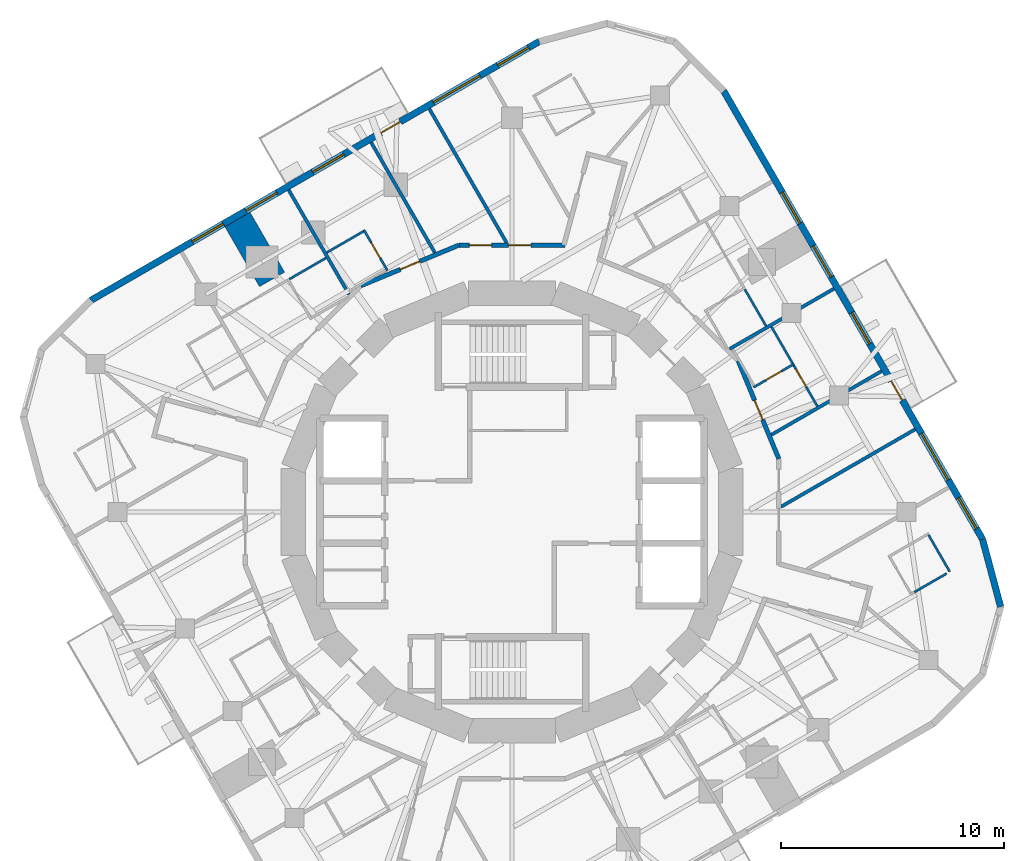
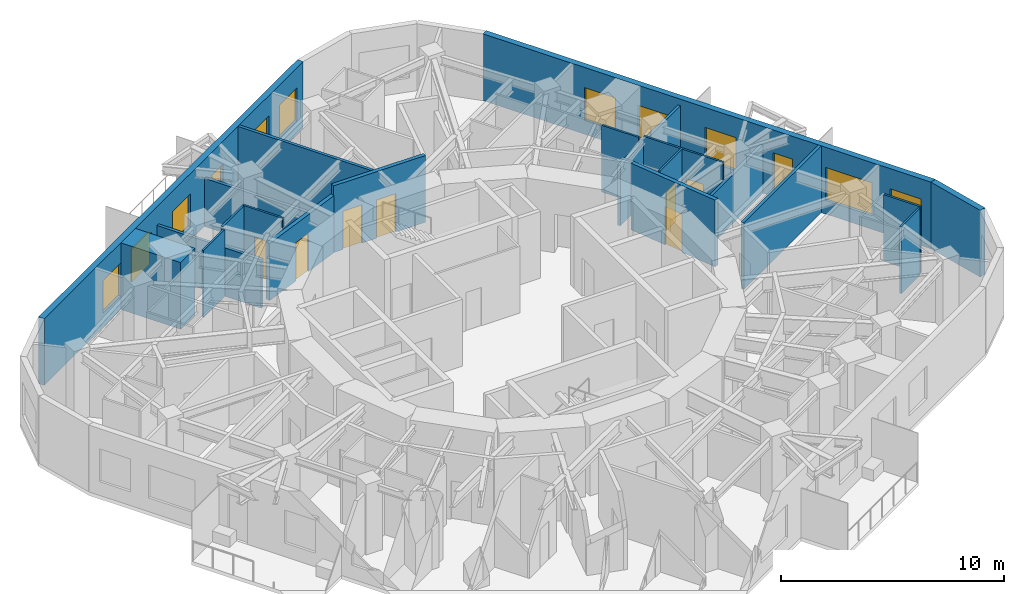
# One storey, part 8 of 11: 22 walls, 10 windows, 9 doors, 19 openings.
"""IFC4 building model written with IfcOpenShell, lengths in metres."""

from ifc_helpers import new_model, si_unit, direction, frame, frame_2d, origin, place, context, subcontext, project, spatial, rectangle, extrude, material, layer, layer_set, type_object, element, fill, save


model = new_model("IFC4")

# Units and contexts
model_context = context("Model", 3, precision=1e-05, world=origin(), true_north=direction((0.0, 1.0)))
body_context = subcontext(model_context, "Body", "Model", "MODEL_VIEW")
ifc_project = project(units=[si_unit("LENGTHUNIT", "METRE"), si_unit("AREAUNIT", "SQUARE_METRE"), si_unit("VOLUMEUNIT", "CUBIC_METRE"), si_unit("PLANEANGLEUNIT", "RADIAN"), si_unit("MASSUNIT", "GRAM", prefix="KILO")], contexts=[model_context])

# Site, building, storey
site_placement = place(None, origin())
site = spatial("IfcSite", under=ifc_project, at=site_placement, CompositionType="ELEMENT")
building_placement = place(site_placement, origin())
building = spatial("IfcBuilding", under=site, at=building_placement, Name="Nakasero Lantern House", CompositionType="ELEMENT")
storey_placement = place(building_placement, frame((0.0, 0.0, 230.800048828125)))
storey = spatial("IfcBuildingStorey", under=building, at=storey_placement, Name="L56", CompositionType="ELEMENT", Elevation=230.800048828125)

# Wall
ifc_material_1 = material(Name="Blockwork", Category="masonry")
ifc_layer_1 = layer(ifc_material_1, 1.300048828125)
ifc_layer_set_1 = layer_set([ifc_layer_1], Name="Column pier 1300")
wall_type_1 = type_object("IfcWallType", Name="Column pier 1300", PredefinedType="PARTITIONING", material=ifc_layer_set_1)
wall_1_placement = place(storey_placement, frame((-10.75048828125, 10.4208984375, 0.0), z_axis=(0.0, 0.0, 1.0), x_axis=(-0.499933790963, 0.866063626216, 0.0)))
element("IfcWall", 1, at=wall_1_placement, inside=storey, type_object=wall_type_1, Name="Column pier L56 PN1-05", PredefinedType="PARTITIONING", context=body_context, shape_type="SweptSolid", body=[
    extrude(rectangle(XDim=3.10009765625, YDim=1.300048828125, at=frame_2d((1.550048828125, 0.0))), origin(), (0.0, 0.0, 1.0), 3.64990234375),
])

# Wall, opening, door
ifc_material_2 = material(Name="Blockwork", Category="masonry")
ifc_layer_2 = layer(ifc_material_2, 0.199951171875)
ifc_layer_set_2 = layer_set([ifc_layer_2], Name="Corridor wall 200")
wall_type_2 = type_object("IfcWallType", Name="Corridor wall 200", PredefinedType="PARTITIONING", material=ifc_layer_set_2)
wall_2_placement = place(storey_placement, frame((-6.773681640625, 10.137451171875, 0.0), z_axis=(0.0, 0.0, 1.0), x_axis=(0.923891735412, 0.382653970627, 0.0)))
wall_2 = element("IfcWall", 2, at=wall_2_placement, inside=storey, type_object=wall_type_2, Name="Corridor wall L56 RC11a", PredefinedType="PARTITIONING", context=body_context, shape_type="SweptSolid", body=[
    extrude(rectangle(XDim=4.757080078125, YDim=0.199951171875, at=frame_2d((2.37841796875, 0.0))), origin(), (0.0, 0.0, 1.0), 3.11328125),
])
opening_1_placement = place(wall_2_placement, frame((1.919921875, 0.0, 0.0)))
opening_1 = element("IfcOpeningElement", 3, at=opening_1_placement, cuts=wall_2, Name="Opening D01", PredefinedType="OPENING", context=body_context, shape_type="SweptSolid", body=[
    extrude(rectangle(XDim=0.949951171875, YDim=2.10009765625, at=frame_2d((0.47509765625, 1.050048828125))), frame((0.0, 0.119873046875, 0.0), z_axis=(0.0, -1.0, 0.0), x_axis=(1.0, 0.0, 0.0)), (0.0, 0.0, 1.0), 0.239990234375),
])
ifc_material_3 = material(Name="Timber C24", Category="wood")
door_type_1 = type_object("IfcDoorType", Name="Bedroom door FD30S 950", OperationType="SINGLE_SWING_LEFT", PredefinedType="DOOR", material=ifc_material_3)
door_1_placement = place(opening_1_placement, origin())
door_1 = element("IfcDoor", 4, at=door_1_placement, inside=storey, type_object=door_type_1, Name="Door L56 D1-03", OperationType="SINGLE_SWING_RIGHT", OverallHeight=2.10009765625, OverallWidth=0.949951171875, PredefinedType="DOOR", context=body_context, shape_type="SweptSolid", body=[
    extrude(rectangle(XDim=0.949951171875, YDim=2.10009765625, at=frame_2d((0.47509765625, 1.050048828125))), frame((0.0, 0.02490234375, 0.0), z_axis=(0.0, -1.0, 0.0), x_axis=(1.0, 0.0, 0.0)), (0.0, 0.0, 1.0), 0.050048828125),
])
fill(opening_1, door_1)

# Wall, openings, doors
wall_3_placement = place(storey_placement, frame((-2.378662109375, 11.957763671875, 0.0), z_axis=(0.0, 0.0, 1.0), x_axis=(1.0, 0.0, 0.0)))
wall_3 = element("IfcWall", 5, at=wall_3_placement, inside=storey, type_object=wall_type_2, Name="Corridor wall L56 RC12a", PredefinedType="PARTITIONING", context=body_context, shape_type="SweptSolid", body=[
    extrude(rectangle(XDim=4.75732421875, YDim=0.199951171875, at=frame_2d((2.378662109375, 0.0))), origin(), (0.0, 0.0, 1.0), 3.64990234375),
])
opening_2_placement = place(wall_3_placement, frame((2.219970703125, 0.0, 0.0)))
opening_2 = element("IfcOpeningElement", 6, at=opening_2_placement, cuts=wall_3, Name="Opening D03", PredefinedType="OPENING", context=body_context, shape_type="SweptSolid", body=[
    extrude(rectangle(XDim=1.0, YDim=2.10009765625, at=frame_2d((0.5, 1.050048828125))), frame((0.0, 0.119873046875, 0.0), z_axis=(0.0, -1.0, 0.0), x_axis=(1.0, 0.0, 0.0)), (0.0, 0.0, 1.0), 0.239990234375),
])
opening_3_placement = place(wall_3_placement, frame((0.469970703125, 0.0, 0.0)))
opening_3 = element("IfcOpeningElement", 7, at=opening_3_placement, cuts=wall_3, Name="Opening D03", PredefinedType="OPENING", context=body_context, shape_type="SweptSolid", body=[
    extrude(rectangle(XDim=1.0, YDim=2.10009765625, at=frame_2d((0.5, 1.050048828125))), frame((0.0, 0.119873046875, 0.0), z_axis=(0.0, -1.0, 0.0), x_axis=(1.0, 0.0, 0.0)), (0.0, 0.0, 1.0), 0.239990234375),
])
ifc_material_4 = material(Name="Timber C24", Category="wood")
door_type_2 = type_object("IfcDoorType", Name="Lounge door FD30S 1000", OperationType="SINGLE_SWING_LEFT", PredefinedType="DOOR", material=ifc_material_4)
door_2_placement = place(opening_2_placement, origin())
door_2 = element("IfcDoor", 8, at=door_2_placement, inside=storey, type_object=door_type_2, Name="Door L56 DK1", OperationType="SINGLE_SWING_RIGHT", OverallHeight=2.10009765625, OverallWidth=1.0, PredefinedType="DOOR", context=body_context, shape_type="SweptSolid", body=[
    extrude(rectangle(XDim=1.0, YDim=2.10009765625, at=frame_2d((0.5, 1.050048828125))), frame((0.0, 0.02490234375, 0.0), z_axis=(0.0, -1.0, 0.0), x_axis=(1.0, 0.0, 0.0)), (0.0, 0.0, 1.0), 0.050048828125),
])
fill(opening_2, door_2)
door_3_placement = place(opening_3_placement, origin())
door_3 = element("IfcDoor", 9, at=door_3_placement, inside=storey, type_object=door_type_2, Name="Door L56 DK1-1", OperationType="SINGLE_SWING_LEFT", OverallHeight=2.10009765625, OverallWidth=1.0, PredefinedType="DOOR", context=body_context, shape_type="SweptSolid", body=[
    extrude(rectangle(XDim=1.0, YDim=2.10009765625, at=frame_2d((0.5, 1.050048828125))), frame((0.0, 0.02490234375, 0.0), z_axis=(0.0, -1.0, 0.0), x_axis=(1.0, 0.0, 0.0)), (0.0, 0.0, 1.0), 0.050048828125),
])
fill(opening_3, door_3)

# Wall, opening, door
wall_4_placement = place(storey_placement, frame((10.137451171875, 6.773681640625, 0.0), z_axis=(0.0, 0.0, 1.0), x_axis=(0.382653970627, -0.923891735412, 0.0)))
wall_4 = element("IfcWall", 10, at=wall_4_placement, inside=storey, type_object=wall_type_2, Name="Corridor wall L56 RC15a", PredefinedType="PARTITIONING", context=body_context, shape_type="SweptSolid", body=[
    extrude(rectangle(XDim=4.757080078125, YDim=0.199951171875, at=frame_2d((2.37841796875, 0.0))), origin(), (0.0, 0.0, 1.0), 3.64990234375),
])
opening_4_placement = place(wall_4_placement, frame((1.919921875, 0.0, 0.0)))
opening_4 = element("IfcOpeningElement", 11, at=opening_4_placement, cuts=wall_4, Name="Opening D01", PredefinedType="OPENING", context=body_context, shape_type="SweptSolid", body=[
    extrude(rectangle(XDim=0.949951171875, YDim=2.10009765625, at=frame_2d((0.47509765625, 1.050048828125))), frame((0.0, 0.119873046875, 0.0), z_axis=(0.0, -1.0, 0.0), x_axis=(1.0, 0.0, 0.0)), (0.0, 0.0, 1.0), 0.239990234375),
])
door_4_placement = place(opening_4_placement, origin())
door_4 = element("IfcDoor", 12, at=door_4_placement, inside=storey, type_object=door_type_1, Name="Door L56 D0-03", OperationType="SINGLE_SWING_RIGHT", OverallHeight=2.10009765625, OverallWidth=0.949951171875, PredefinedType="DOOR", context=body_context, shape_type="SweptSolid", body=[
    extrude(rectangle(XDim=0.949951171875, YDim=2.10009765625, at=frame_2d((0.47509765625, 1.050048828125))), frame((0.0, 0.02490234375, 0.0), z_axis=(0.0, -1.0, 0.0), x_axis=(1.0, 0.0, 0.0)), (0.0, 0.0, 1.0), 0.050048828125),
])
fill(opening_4, door_4)

# Wall
ifc_material_5 = material(Name="Blockwork", Category="masonry")
ifc_layer_3 = layer(ifc_material_5, 0.10009765625)
ifc_layer_set_3 = layer_set([ifc_layer_3], Name="En-suite wall 100")
wall_type_3 = type_object("IfcWallType", Name="En-suite wall 100", PredefinedType="PARTITIONING", material=ifc_layer_set_3)
wall_5_placement = place(storey_placement, frame((19.61572265625, -2.675537109375, 0.0), z_axis=(0.0, 0.0, 1.0), x_axis=(-0.499967155389, 0.866044365799, 0.0)))
element("IfcWall", 13, at=wall_5_placement, inside=storey, type_object=wall_type_3, Name="En-suite wall L56 EE0-00", PredefinedType="PARTITIONING", context=body_context, shape_type="SweptSolid", body=[
    extrude(rectangle(XDim=1.900146484375, YDim=0.10009765625, at=frame_2d((0.9501953125, 0.0))), origin(), (0.0, 0.0, 1.0), 3.64990234375),
])

# Wall, opening, door
wall_6_placement = place(storey_placement, frame((10.82470703125, 5.586669921875, 0.0), z_axis=(0.0, 0.0, 1.0), x_axis=(0.866009402589, 0.500027713859, 0.0)))
wall_6 = element("IfcWall", 14, at=wall_6_placement, inside=storey, type_object=wall_type_3, Name="En-suite wall L56 ES0-03", PredefinedType="PARTITIONING", context=body_context, shape_type="SweptSolid", body=[
    extrude(rectangle(XDim=2.10009765625, YDim=0.10009765625, at=frame_2d((1.050048828125, 0.0))), origin(), (0.0, 0.0, 1.0), 3.64990234375),
])
opening_5_placement = place(wall_6_placement, frame((0.64990234375, 0.0, 0.0)))
opening_5 = element("IfcOpeningElement", 15, at=opening_5_placement, cuts=wall_6, Name="Opening D02", PredefinedType="OPENING", context=body_context, shape_type="SweptSolid", body=[
    extrude(rectangle(XDim=0.800048828125, YDim=2.10009765625, at=frame_2d((0.39990234375, 1.050048828125))), frame((0.0, 0.070068359375, 0.0), z_axis=(0.0, -1.0, 0.0), x_axis=(1.0, 0.0, 0.0)), (0.0, 0.0, 1.0), 0.14013671875),
])
ifc_material_6 = material(Name="Timber C24", Category="wood")
door_type_3 = type_object("IfcDoorType", Name="En-suite door 800", OperationType="SINGLE_SWING_RIGHT", PredefinedType="DOOR", material=ifc_material_6)
door_5_placement = place(opening_5_placement, origin())
door_5 = element("IfcDoor", 16, at=door_5_placement, inside=storey, type_object=door_type_3, Name="Door L56 DE0-03", OperationType="SINGLE_SWING_RIGHT", OverallHeight=2.10009765625, OverallWidth=0.800048828125, PredefinedType="DOOR", context=body_context, shape_type="SweptSolid", body=[
    extrude(rectangle(XDim=0.800048828125, YDim=2.10009765625, at=frame_2d((0.39990234375, 1.050048828125))), frame((0.0, 0.02490234375, 0.0), z_axis=(0.0, -1.0, 0.0), x_axis=(1.0, 0.0, 0.0)), (0.0, 0.0, 1.0), 0.050048828125),
])
fill(opening_5, door_5)

# Walls
wall_7_placement = place(storey_placement, frame((12.574951171875, 6.655029296875, 0.0), z_axis=(0.0, 0.0, 1.0), x_axis=(-0.499967155389, 0.866044365799, 0.0)))
element("IfcWall", 17, at=wall_7_placement, inside=storey, type_object=wall_type_3, Name="En-suite wall L56 EE0-03", PredefinedType="PARTITIONING", context=body_context, shape_type="SweptSolid", body=[
    extrude(rectangle(XDim=1.900146484375, YDim=0.10009765625, at=frame_2d((0.9501953125, 0.0))), origin(), (0.0, 0.0, 1.0), 3.64990234375),
])
wall_8_placement = place(storey_placement, frame((11.382568359375, 8.333740234375, 0.0), z_axis=(0.0, 0.0, 1.0), x_axis=(-0.500022797313, 0.86601224135, 0.0)))
element("IfcWall", 18, at=wall_8_placement, inside=storey, type_object=wall_type_3, Name="En-suite wall L56 EE0-04", PredefinedType="PARTITIONING", context=body_context, shape_type="SweptSolid", body=[
    extrude(rectangle(XDim=1.89990234375, YDim=0.10009765625, at=frame_2d((0.949951171875, 0.0))), origin(), (0.0, 0.0, 1.0), 3.64990234375),
])

# Wall, opening, door
wall_9_placement = place(storey_placement, frame((-5.586669921875, 10.82470703125, 0.0), z_axis=(0.0, 0.0, 1.0), x_axis=(-0.500027713859, 0.866009402589, 0.0)))
wall_9 = element("IfcWall", 19, at=wall_9_placement, inside=storey, type_object=wall_type_3, Name="En-suite wall L56 ES1-03", PredefinedType="PARTITIONING", context=body_context, shape_type="SweptSolid", body=[
    extrude(rectangle(XDim=2.10009765625, YDim=0.10009765625, at=frame_2d((1.050048828125, 0.0))), origin(), (0.0, 0.0, 1.0), 3.64990234375),
])
opening_6_placement = place(wall_9_placement, frame((0.64990234375, 0.0, 0.0)))
opening_6 = element("IfcOpeningElement", 20, at=opening_6_placement, cuts=wall_9, Name="Opening D02", PredefinedType="OPENING", context=body_context, shape_type="SweptSolid", body=[
    extrude(rectangle(XDim=0.800048828125, YDim=2.10009765625, at=frame_2d((0.39990234375, 1.050048828125))), frame((0.0, 0.070068359375, 0.0), z_axis=(0.0, -1.0, 0.0), x_axis=(1.0, 0.0, 0.0)), (0.0, 0.0, 1.0), 0.14013671875),
])
door_6_placement = place(opening_6_placement, origin())
door_6 = element("IfcDoor", 21, at=door_6_placement, inside=storey, type_object=door_type_3, Name="Door L56 DE1-03", OperationType="SINGLE_SWING_RIGHT", OverallHeight=2.10009765625, OverallWidth=0.800048828125, PredefinedType="DOOR", context=body_context, shape_type="SweptSolid", body=[
    extrude(rectangle(XDim=0.800048828125, YDim=2.10009765625, at=frame_2d((0.39990234375, 1.050048828125))), frame((0.0, 0.02490234375, 0.0), z_axis=(0.0, -1.0, 0.0), x_axis=(1.0, 0.0, 0.0)), (0.0, 0.0, 1.0), 0.050048828125),
])
fill(opening_6, door_6)

# Walls
wall_10_placement = place(storey_placement, frame((-6.655029296875, 12.574951171875, 0.0), z_axis=(0.0, 0.0, 1.0), x_axis=(-0.866044365799, -0.499967155389, 0.0)))
element("IfcWall", 22, at=wall_10_placement, inside=storey, type_object=wall_type_3, Name="En-suite wall L56 EE1-03", PredefinedType="PARTITIONING", context=body_context, shape_type="SweptSolid", body=[
    extrude(rectangle(XDim=1.900146484375, YDim=0.10009765625, at=frame_2d((0.9501953125, 0.0))), origin(), (0.0, 0.0, 1.0), 3.64990234375),
])
wall_11_placement = place(storey_placement, frame((-8.333740234375, 11.382568359375, 0.0), z_axis=(0.0, 0.0, 1.0), x_axis=(-0.86601224135, -0.500022797313, 0.0)))
element("IfcWall", 23, at=wall_11_placement, inside=storey, type_object=wall_type_3, Name="En-suite wall L56 EE1-04", PredefinedType="PARTITIONING", context=body_context, shape_type="SweptSolid", body=[
    extrude(rectangle(XDim=1.89990234375, YDim=0.10009765625, at=frame_2d((0.949951171875, 0.0))), origin(), (0.0, 0.0, 1.0), 3.64990234375),
])

# Wall, opening, door
wall_12_placement = place(storey_placement, frame((13.68310546875, 4.735595703125, 0.0), z_axis=(0.0, 0.0, 1.0), x_axis=(-0.499985423392, 0.866033819429, 0.0)))
wall_12 = element("IfcWall", 24, at=wall_12_placement, inside=storey, type_object=wall_type_3, Name="En-suite wall L56 EL0-03", PredefinedType="PARTITIONING", context=body_context, shape_type="SweptSolid", body=[
    extrude(rectangle(XDim=2.1162109375, YDim=0.10009765625, at=frame_2d((1.05810546875, 0.0))), origin(), (0.0, 0.0, 1.0), 3.64990234375),
])
opening_7_placement = place(wall_12_placement, frame((1.016357421875, 0.0, 0.0)))
opening_7 = element("IfcOpeningElement", 25, at=opening_7_placement, cuts=wall_12, Name="Opening D17", PredefinedType="OPENING", context=body_context, shape_type="SweptSolid", body=[
    extrude(rectangle(XDim=0.89990234375, YDim=2.10009765625, at=frame_2d((0.449951171875, 1.050048828125))), frame((0.0, 0.070068359375, 0.0), z_axis=(0.0, -1.0, 0.0), x_axis=(1.0, 0.0, 0.0)), (0.0, 0.0, 1.0), 0.14013671875),
])
ifc_material_7 = material(Name="Timber C24", Category="wood")
door_type_4 = type_object("IfcDoorType", Name="Bedroom door FD30S 900", OperationType="SINGLE_SWING_LEFT", PredefinedType="DOOR", material=ifc_material_7)
door_7_placement = place(opening_7_placement, origin())
door_7 = element("IfcDoor", 26, at=door_7_placement, inside=storey, type_object=door_type_4, Name="Door L56 DL0-03", OperationType="SINGLE_SWING_RIGHT", OverallHeight=2.10009765625, OverallWidth=0.89990234375, PredefinedType="DOOR", context=body_context, shape_type="SweptSolid", body=[
    extrude(rectangle(XDim=0.89990234375, YDim=2.10009765625, at=frame_2d((0.449951171875, 1.050048828125))), frame((0.0, 0.02490234375, 0.0), z_axis=(0.0, -1.0, 0.0), x_axis=(1.0, 0.0, 0.0)), (0.0, 0.0, 1.0), 0.050048828125),
])
fill(opening_7, door_7)

# Wall
wall_13_placement = place(storey_placement, frame((18.022216796875, -3.595458984375, 0.0), z_axis=(0.0, 0.0, 1.0), x_axis=(0.866088799389, 0.499890179513, 0.0)))
element("IfcWall", 27, at=wall_13_placement, inside=storey, type_object=wall_type_3, Name="En-suite wall L56 EX000", PredefinedType="PARTITIONING", context=body_context, shape_type="SweptSolid", body=[
    extrude(rectangle(XDim=1.68017578125, YDim=0.10009765625, at=frame_2d((0.840087890625, 0.0))), origin(), (0.0, 0.0, 1.0), 3.64990234375),
])

# Wall, openings, door, windows
ifc_material_8 = material(Name="Aluminium rainscreen on blockwork", Category="masonry")
ifc_layer_4 = layer(ifc_material_8, 0.300048828125)
ifc_layer_set_4 = layer_set([ifc_layer_4], Name="Facade wall 300")
wall_type_4 = type_object("IfcWallType", Name="Facade wall 300", PredefinedType="SOLIDWALL", material=ifc_layer_set_4)
wall_14_placement = place(storey_placement, frame((21.08544921875, -1.220947265625, 0.0), z_axis=(0.0, 0.0, 1.0), x_axis=(-0.500003016864, 0.86602366199, 0.0)))
wall_14 = element("IfcWall", 28, at=wall_14_placement, inside=storey, type_object=wall_type_4, Name="Facade wall L56 FW0S", PredefinedType="SOLIDWALL", context=body_context, shape_type="SweptSolid", body=[
    extrude(rectangle(XDim=23.199951171875, YDim=0.300048828125, at=frame_2d((11.60009765625, 0.0))), origin(), (0.0, 0.0, 1.0), 3.64990234375),
])
opening_8_placement = place(wall_14_placement, frame((0.5458984375, 0.0, 0.75)))
opening_8 = element("IfcOpeningElement", 29, at=opening_8_placement, cuts=wall_14, Name="Opening W01", PredefinedType="OPENING", context=body_context, shape_type="SweptSolid", body=[
    extrude(rectangle(XDim=1.60009765625, YDim=1.800048828125, at=frame_2d((0.800048828125, 0.89990234375))), frame((0.0, 0.169921875, 0.0), z_axis=(0.0, -1.0, 0.0), x_axis=(1.0, 0.0, 0.0)), (0.0, 0.0, 1.0), 0.340087890625),
])
opening_9_placement = place(wall_14_placement, frame((10.11767578125, 0.0, 0.75)))
opening_9 = element("IfcOpeningElement", 30, at=opening_9_placement, cuts=wall_14, Name="Opening W01", PredefinedType="OPENING", context=body_context, shape_type="SweptSolid", body=[
    extrude(rectangle(XDim=1.60009765625, YDim=1.800048828125, at=frame_2d((0.800048828125, 0.89990234375))), frame((0.0, 0.169921875, 0.0), z_axis=(0.0, -1.0, 0.0), x_axis=(1.0, 0.0, 0.0)), (0.0, 0.0, 1.0), 0.340087890625),
])
opening_10_placement = place(wall_14_placement, frame((13.5751953125, 0.0, 0.75)))
opening_10 = element("IfcOpeningElement", 31, at=opening_10_placement, cuts=wall_14, Name="Opening W01", PredefinedType="OPENING", context=body_context, shape_type="SweptSolid", body=[
    extrude(rectangle(XDim=1.60009765625, YDim=1.800048828125, at=frame_2d((0.800048828125, 0.89990234375))), frame((0.0, 0.169921875, 0.0), z_axis=(0.0, -1.0, 0.0), x_axis=(1.0, 0.0, 0.0)), (0.0, 0.0, 1.0), 0.340087890625),
])
opening_11_placement = place(wall_14_placement, frame((16.349609375, 0.0, 0.75)))
opening_11 = element("IfcOpeningElement", 32, at=opening_11_placement, cuts=wall_14, Name="Opening W01", PredefinedType="OPENING", context=body_context, shape_type="SweptSolid", body=[
    extrude(rectangle(XDim=1.60009765625, YDim=1.800048828125, at=frame_2d((0.800048828125, 0.89990234375))), frame((0.0, 0.169921875, 0.0), z_axis=(0.0, -1.0, 0.0), x_axis=(1.0, 0.0, 0.0)), (0.0, 0.0, 1.0), 0.340087890625),
])
opening_12_placement = place(wall_14_placement, frame((3.071044921875, 0.0, 0.75)))
opening_12 = element("IfcOpeningElement", 33, at=opening_12_placement, cuts=wall_14, Name="Opening W03", PredefinedType="OPENING", context=body_context, shape_type="SweptSolid", body=[
    extrude(rectangle(XDim=2.39990234375, YDim=1.800048828125, at=frame_2d((1.199951171875, 0.89990234375))), frame((0.0, 0.169921875, 0.0), z_axis=(0.0, -1.0, 0.0), x_axis=(1.0, 0.0, 0.0)), (0.0, 0.0, 1.0), 0.340087890625),
])
opening_13_placement = place(wall_14_placement, frame((7.1904296875, 0.0, 0.0)))
opening_13 = element("IfcOpeningElement", 34, at=opening_13_placement, cuts=wall_14, Name="Opening D04", PredefinedType="OPENING", context=body_context, shape_type="SweptSolid", body=[
    extrude(rectangle(XDim=1.0, YDim=2.39990234375, at=frame_2d((0.5, 1.199951171875))), frame((0.0, 0.169921875, 0.0), z_axis=(0.0, -1.0, 0.0), x_axis=(1.0, 0.0, 0.0)), (0.0, 0.0, 1.0), 0.340087890625),
])
ifc_material_9 = material(Name="Aluminium 6063-T6 and glass", Category="aluminium")
door_type_5 = type_object("IfcDoorType", Name="Balcony door 1000x2400", OperationType="SINGLE_SWING_RIGHT", PredefinedType="DOOR", material=ifc_material_9)
door_8_placement = place(opening_13_placement, origin())
door_8 = element("IfcDoor", 35, at=door_8_placement, inside=storey, type_object=door_type_5, Name="Balcony door L56 DB0", OperationType="SINGLE_SWING_RIGHT", OverallHeight=2.39990234375, OverallWidth=1.0, PredefinedType="DOOR", context=body_context, shape_type="SweptSolid", body=[
    extrude(rectangle(XDim=1.0, YDim=2.39990234375, at=frame_2d((0.5, 1.199951171875))), frame((0.0, 0.02490234375, 0.0), z_axis=(0.0, -1.0, 0.0), x_axis=(1.0, 0.0, 0.0)), (0.0, 0.0, 1.0), 0.050048828125),
])
fill(opening_13, door_8)
ifc_material_10 = material(Name="Aluminium 6063-T6 and glass", Category="aluminium")
window_type_1 = type_object("IfcWindowType", Name="Bedroom window 1600x1800", PartitioningType="SINGLE_PANEL", PredefinedType="WINDOW", material=ifc_material_10)
window_1_placement = place(opening_8_placement, origin())
window_1 = element("IfcWindow", 36, at=window_1_placement, inside=storey, type_object=window_type_1, Name="Window L56 WN0-00", OverallHeight=1.800048828125, OverallWidth=1.60009765625, PartitioningType="SINGLE_PANEL", PredefinedType="WINDOW", context=body_context, shape_type="SweptSolid", body=[
    extrude(rectangle(XDim=1.60009765625, YDim=1.800048828125, at=frame_2d((0.800048828125, 0.89990234375))), frame((0.0, 0.030029296875, 0.0), z_axis=(0.0, -1.0, 0.0), x_axis=(1.0, 0.0, 0.0)), (0.0, 0.0, 1.0), 0.06005859375),
])
fill(opening_8, window_1)
window_2_placement = place(opening_9_placement, origin())
window_2 = element("IfcWindow", 37, at=window_2_placement, inside=storey, type_object=window_type_1, Name="Window L56 WN0-03", OverallHeight=1.800048828125, OverallWidth=1.60009765625, PartitioningType="SINGLE_PANEL", PredefinedType="WINDOW", context=body_context, shape_type="SweptSolid", body=[
    extrude(rectangle(XDim=1.60009765625, YDim=1.800048828125, at=frame_2d((0.800048828125, 0.89990234375))), frame((0.0, 0.030029296875, 0.0), z_axis=(0.0, -1.0, 0.0), x_axis=(1.0, 0.0, 0.0)), (0.0, 0.0, 1.0), 0.06005859375),
])
fill(opening_9, window_2)
window_3_placement = place(opening_10_placement, origin())
window_3 = element("IfcWindow", 38, at=window_3_placement, inside=storey, type_object=window_type_1, Name="Window L56 WN0-04", OverallHeight=1.800048828125, OverallWidth=1.60009765625, PartitioningType="SINGLE_PANEL", PredefinedType="WINDOW", context=body_context, shape_type="SweptSolid", body=[
    extrude(rectangle(XDim=1.60009765625, YDim=1.800048828125, at=frame_2d((0.800048828125, 0.89990234375))), frame((0.0, 0.030029296875, 0.0), z_axis=(0.0, -1.0, 0.0), x_axis=(1.0, 0.0, 0.0)), (0.0, 0.0, 1.0), 0.06005859375),
])
fill(opening_10, window_3)
window_4_placement = place(opening_11_placement, origin())
window_4 = element("IfcWindow", 39, at=window_4_placement, inside=storey, type_object=window_type_1, Name="Window L56 WN0-05", OverallHeight=1.800048828125, OverallWidth=1.60009765625, PartitioningType="SINGLE_PANEL", PredefinedType="WINDOW", context=body_context, shape_type="SweptSolid", body=[
    extrude(rectangle(XDim=1.60009765625, YDim=1.800048828125, at=frame_2d((0.800048828125, 0.89990234375))), frame((0.0, 0.030029296875, 0.0), z_axis=(0.0, -1.0, 0.0), x_axis=(1.0, 0.0, 0.0)), (0.0, 0.0, 1.0), 0.06005859375),
])
fill(opening_11, window_4)
ifc_material_11 = material(Name="Aluminium 6063-T6 and glass", Category="aluminium")
window_type_2 = type_object("IfcWindowType", Name="Lounge window 2400x1800", PartitioningType="SINGLE_PANEL", PredefinedType="WINDOW", material=ifc_material_11)
window_5_placement = place(opening_12_placement, origin())
window_5 = element("IfcWindow", 40, at=window_5_placement, inside=storey, type_object=window_type_2, Name="Window L56 WK0", OverallHeight=1.800048828125, OverallWidth=2.39990234375, PartitioningType="SINGLE_PANEL", PredefinedType="WINDOW", context=body_context, shape_type="SweptSolid", body=[
    extrude(rectangle(XDim=2.39990234375, YDim=1.800048828125, at=frame_2d((1.199951171875, 0.89990234375))), frame((0.0, 0.030029296875, 0.0), z_axis=(0.0, -1.0, 0.0), x_axis=(1.0, 0.0, 0.0)), (0.0, 0.0, 1.0), 0.06005859375),
])
fill(opening_12, window_5)

wall_15_placement = place(storey_placement, frame((1.220947265625, 21.08544921875, 0.0), z_axis=(0.0, 0.0, 1.0), x_axis=(-0.86602366199, -0.500003016864, 0.0)))
wall_15 = element("IfcWall", 41, at=wall_15_placement, inside=storey, type_object=wall_type_4, Name="Facade wall L56 FW1S", PredefinedType="SOLIDWALL", context=body_context, shape_type="SweptSolid", body=[
    extrude(rectangle(XDim=23.199951171875, YDim=0.300048828125, at=frame_2d((11.60009765625, 0.0))), origin(), (0.0, 0.0, 1.0), 3.64990234375),
])
opening_14_placement = place(wall_15_placement, frame((0.5458984375, 0.0, 0.75)))
opening_14 = element("IfcOpeningElement", 42, at=opening_14_placement, cuts=wall_15, Name="Opening W01", PredefinedType="OPENING", context=body_context, shape_type="SweptSolid", body=[
    extrude(rectangle(XDim=1.60009765625, YDim=1.800048828125, at=frame_2d((0.800048828125, 0.89990234375))), frame((0.0, 0.169921875, 0.0), z_axis=(0.0, -1.0, 0.0), x_axis=(1.0, 0.0, 0.0)), (0.0, 0.0, 1.0), 0.340087890625),
])
opening_15_placement = place(wall_15_placement, frame((10.11767578125, 0.0, 0.75)))
opening_15 = element("IfcOpeningElement", 43, at=opening_15_placement, cuts=wall_15, Name="Opening W01", PredefinedType="OPENING", context=body_context, shape_type="SweptSolid", body=[
    extrude(rectangle(XDim=1.60009765625, YDim=1.800048828125, at=frame_2d((0.800048828125, 0.89990234375))), frame((0.0, 0.169921875, 0.0), z_axis=(0.0, -1.0, 0.0), x_axis=(1.0, 0.0, 0.0)), (0.0, 0.0, 1.0), 0.340087890625),
])
opening_16_placement = place(wall_15_placement, frame((13.5751953125, 0.0, 0.75)))
opening_16 = element("IfcOpeningElement", 44, at=opening_16_placement, cuts=wall_15, Name="Opening W01", PredefinedType="OPENING", context=body_context, shape_type="SweptSolid", body=[
    extrude(rectangle(XDim=1.60009765625, YDim=1.800048828125, at=frame_2d((0.800048828125, 0.89990234375))), frame((0.0, 0.169921875, 0.0), z_axis=(0.0, -1.0, 0.0), x_axis=(1.0, 0.0, 0.0)), (0.0, 0.0, 1.0), 0.340087890625),
])
opening_17_placement = place(wall_15_placement, frame((16.349609375, 0.0, 0.75)))
opening_17 = element("IfcOpeningElement", 45, at=opening_17_placement, cuts=wall_15, Name="Opening W01", PredefinedType="OPENING", context=body_context, shape_type="SweptSolid", body=[
    extrude(rectangle(XDim=1.60009765625, YDim=1.800048828125, at=frame_2d((0.800048828125, 0.89990234375))), frame((0.0, 0.169921875, 0.0), z_axis=(0.0, -1.0, 0.0), x_axis=(1.0, 0.0, 0.0)), (0.0, 0.0, 1.0), 0.340087890625),
])
opening_18_placement = place(wall_15_placement, frame((3.071044921875, 0.0, 0.75)))
opening_18 = element("IfcOpeningElement", 46, at=opening_18_placement, cuts=wall_15, Name="Opening W03", PredefinedType="OPENING", context=body_context, shape_type="SweptSolid", body=[
    extrude(rectangle(XDim=2.39990234375, YDim=1.800048828125, at=frame_2d((1.199951171875, 0.89990234375))), frame((0.0, 0.169921875, 0.0), z_axis=(0.0, -1.0, 0.0), x_axis=(1.0, 0.0, 0.0)), (0.0, 0.0, 1.0), 0.340087890625),
])
opening_19_placement = place(wall_15_placement, frame((7.1904296875, 0.0, 0.0)))
opening_19 = element("IfcOpeningElement", 47, at=opening_19_placement, cuts=wall_15, Name="Opening D04", PredefinedType="OPENING", context=body_context, shape_type="SweptSolid", body=[
    extrude(rectangle(XDim=1.0, YDim=2.39990234375, at=frame_2d((0.5, 1.199951171875))), frame((0.0, 0.169921875, 0.0), z_axis=(0.0, -1.0, 0.0), x_axis=(1.0, 0.0, 0.0)), (0.0, 0.0, 1.0), 0.340087890625),
])
door_9_placement = place(opening_19_placement, origin())
door_9 = element("IfcDoor", 48, at=door_9_placement, inside=storey, type_object=door_type_5, Name="Balcony door L56 DB1", OperationType="SINGLE_SWING_RIGHT", OverallHeight=2.39990234375, OverallWidth=1.0, PredefinedType="DOOR", context=body_context, shape_type="SweptSolid", body=[
    extrude(rectangle(XDim=1.0, YDim=2.39990234375, at=frame_2d((0.5, 1.199951171875))), frame((0.0, 0.02490234375, 0.0), z_axis=(0.0, -1.0, 0.0), x_axis=(1.0, 0.0, 0.0)), (0.0, 0.0, 1.0), 0.050048828125),
])
fill(opening_19, door_9)
window_6_placement = place(opening_14_placement, origin())
window_6 = element("IfcWindow", 49, at=window_6_placement, inside=storey, type_object=window_type_1, Name="Window L56 WN1-00", OverallHeight=1.800048828125, OverallWidth=1.60009765625, PartitioningType="SINGLE_PANEL", PredefinedType="WINDOW", context=body_context, shape_type="SweptSolid", body=[
    extrude(rectangle(XDim=1.60009765625, YDim=1.800048828125, at=frame_2d((0.800048828125, 0.89990234375))), frame((0.0, 0.030029296875, 0.0), z_axis=(0.0, -1.0, 0.0), x_axis=(1.0, 0.0, 0.0)), (0.0, 0.0, 1.0), 0.06005859375),
])
fill(opening_14, window_6)
window_7_placement = place(opening_15_placement, origin())
window_7 = element("IfcWindow", 50, at=window_7_placement, inside=storey, type_object=window_type_1, Name="Window L56 WN1-03", OverallHeight=1.800048828125, OverallWidth=1.60009765625, PartitioningType="SINGLE_PANEL", PredefinedType="WINDOW", context=body_context, shape_type="SweptSolid", body=[
    extrude(rectangle(XDim=1.60009765625, YDim=1.800048828125, at=frame_2d((0.800048828125, 0.89990234375))), frame((0.0, 0.030029296875, 0.0), z_axis=(0.0, -1.0, 0.0), x_axis=(1.0, 0.0, 0.0)), (0.0, 0.0, 1.0), 0.06005859375),
])
fill(opening_15, window_7)
window_8_placement = place(opening_16_placement, origin())
window_8 = element("IfcWindow", 51, at=window_8_placement, inside=storey, type_object=window_type_1, Name="Window L56 WN1-04", OverallHeight=1.800048828125, OverallWidth=1.60009765625, PartitioningType="SINGLE_PANEL", PredefinedType="WINDOW", context=body_context, shape_type="SweptSolid", body=[
    extrude(rectangle(XDim=1.60009765625, YDim=1.800048828125, at=frame_2d((0.800048828125, 0.89990234375))), frame((0.0, 0.030029296875, 0.0), z_axis=(0.0, -1.0, 0.0), x_axis=(1.0, 0.0, 0.0)), (0.0, 0.0, 1.0), 0.06005859375),
])
fill(opening_16, window_8)
window_9_placement = place(opening_17_placement, origin())
window_9 = element("IfcWindow", 52, at=window_9_placement, inside=storey, type_object=window_type_1, Name="Window L56 WN1-05", OverallHeight=1.800048828125, OverallWidth=1.60009765625, PartitioningType="SINGLE_PANEL", PredefinedType="WINDOW", context=body_context, shape_type="SweptSolid", body=[
    extrude(rectangle(XDim=1.60009765625, YDim=1.800048828125, at=frame_2d((0.800048828125, 0.89990234375))), frame((0.0, 0.030029296875, 0.0), z_axis=(0.0, -1.0, 0.0), x_axis=(1.0, 0.0, 0.0)), (0.0, 0.0, 1.0), 0.06005859375),
])
fill(opening_17, window_9)
window_10_placement = place(opening_18_placement, origin())
window_10 = element("IfcWindow", 53, at=window_10_placement, inside=storey, type_object=window_type_2, Name="Window L56 WK1", OverallHeight=1.800048828125, OverallWidth=2.39990234375, PartitioningType="SINGLE_PANEL", PredefinedType="WINDOW", context=body_context, shape_type="SweptSolid", body=[
    extrude(rectangle(XDim=2.39990234375, YDim=1.800048828125, at=frame_2d((1.199951171875, 0.89990234375))), frame((0.0, 0.030029296875, 0.0), z_axis=(0.0, -1.0, 0.0), x_axis=(1.0, 0.0, 0.0)), (0.0, 0.0, 1.0), 0.06005859375),
])
fill(opening_18, window_10)

# Walls
wall_16_placement = place(storey_placement, frame((21.89599609375, -4.245849609375, 0.0), z_axis=(0.0, 0.0, 1.0), x_axis=(-0.258827010283, 0.96592369199, 0.0)))
element("IfcWall", 54, at=wall_16_placement, inside=storey, type_object=wall_type_4, Name="Facade wall L56 FW3C3", PredefinedType="SOLIDWALL", context=body_context, shape_type="SweptSolid", body=[
    extrude(rectangle(XDim=3.131591796875, YDim=0.300048828125, at=frame_2d((1.56591796875, 0.0))), origin(), (0.0, 0.0, 1.0), 3.64990234375),
])
ifc_material_12 = material(Name="Blockwork", Category="masonry")
ifc_layer_5 = layer(ifc_material_12, 0.14990234375)
ifc_layer_set_5 = layer_set([ifc_layer_5], Name="Party wall 150")
wall_type_5 = type_object("IfcWallType", Name="Party wall 150", PredefinedType="PARTITIONING", material=ifc_layer_set_5)
wall_17_placement = place(storey_placement, frame((12.057861328125, 0.236083984375, 0.0), z_axis=(0.0, 0.0, 1.0), x_axis=(0.866026229868, 0.499998569178, 0.0)))
element("IfcWall", 55, at=wall_17_placement, inside=storey, type_object=wall_type_5, Name="Party wall L56 PW0-02", PredefinedType="PARTITIONING", context=body_context, shape_type="SweptSolid", body=[
    extrude(rectangle(XDim=6.939453125, YDim=0.14990234375, at=frame_2d((3.4697265625, 0.0))), origin(), (0.0, 0.0, 1.0), 3.64990234375),
])
wall_18_placement = place(storey_placement, frame((11.619140625, 3.457275390625, 0.0), z_axis=(0.0, 0.0, 1.0), x_axis=(0.866023927955, 0.500002556202, 0.0)))
element("IfcWall", 56, at=wall_18_placement, inside=storey, type_object=wall_type_5, Name="Party wall L56 PW0-03", PredefinedType="PARTITIONING", context=body_context, shape_type="SweptSolid", body=[
    extrude(rectangle(XDim=5.708984375, YDim=0.14990234375, at=frame_2d((2.8544921875, 0.0))), origin(), (0.0, 0.0, 1.0), 2.641845703125),
])
wall_19_placement = place(storey_placement, frame((9.748779296875, 7.3037109375, 0.0), z_axis=(0.0, 0.0, 1.0), x_axis=(0.86600807666, 0.500030010259, 0.0)))
element("IfcWall", 57, at=wall_19_placement, inside=storey, type_object=wall_type_5, Name="Party wall L56 PW0-04", PredefinedType="PARTITIONING", context=body_context, shape_type="SweptSolid", body=[
    extrude(rectangle(XDim=5.405517578125, YDim=0.14990234375, at=frame_2d((2.70263671875, 0.0))), origin(), (0.0, 0.0, 1.0), 3.294921875),
])
wall_20_placement = place(storey_placement, frame((-0.236083984375, 12.057861328125, 0.0), z_axis=(0.0, 0.0, 1.0), x_axis=(-0.499998569178, 0.866026229868, 0.0)))
element("IfcWall", 58, at=wall_20_placement, inside=storey, type_object=wall_type_5, Name="Party wall L56 PW1-02", PredefinedType="PARTITIONING", context=body_context, shape_type="SweptSolid", body=[
    extrude(rectangle(XDim=6.939453125, YDim=0.14990234375, at=frame_2d((3.4697265625, 0.0))), origin(), (0.0, 0.0, 1.0), 3.64990234375),
])
wall_21_placement = place(storey_placement, frame((-3.457275390625, 11.619140625, 0.0), z_axis=(0.0, 0.0, 1.0), x_axis=(-0.500002556202, 0.866023927955, 0.0)))
element("IfcWall", 59, at=wall_21_placement, inside=storey, type_object=wall_type_5, Name="Party wall L56 PW1-03", PredefinedType="PARTITIONING", context=body_context, shape_type="SweptSolid", body=[
    extrude(rectangle(XDim=5.708984375, YDim=0.14990234375, at=frame_2d((2.8544921875, 0.0))), origin(), (0.0, 0.0, 1.0), 2.641845703125),
])
wall_22_placement = place(storey_placement, frame((-7.3037109375, 9.748779296875, 0.0), z_axis=(0.0, 0.0, 1.0), x_axis=(-0.500030010259, 0.86600807666, 0.0)))
element("IfcWall", 60, at=wall_22_placement, inside=storey, type_object=wall_type_5, Name="Party wall L56 PW1-04", PredefinedType="PARTITIONING", context=body_context, shape_type="SweptSolid", body=[
    extrude(rectangle(XDim=5.405517578125, YDim=0.14990234375, at=frame_2d((2.70263671875, 0.0))), origin(), (0.0, 0.0, 1.0), 2.650146484375),
])

save(model, "model.ifc")
